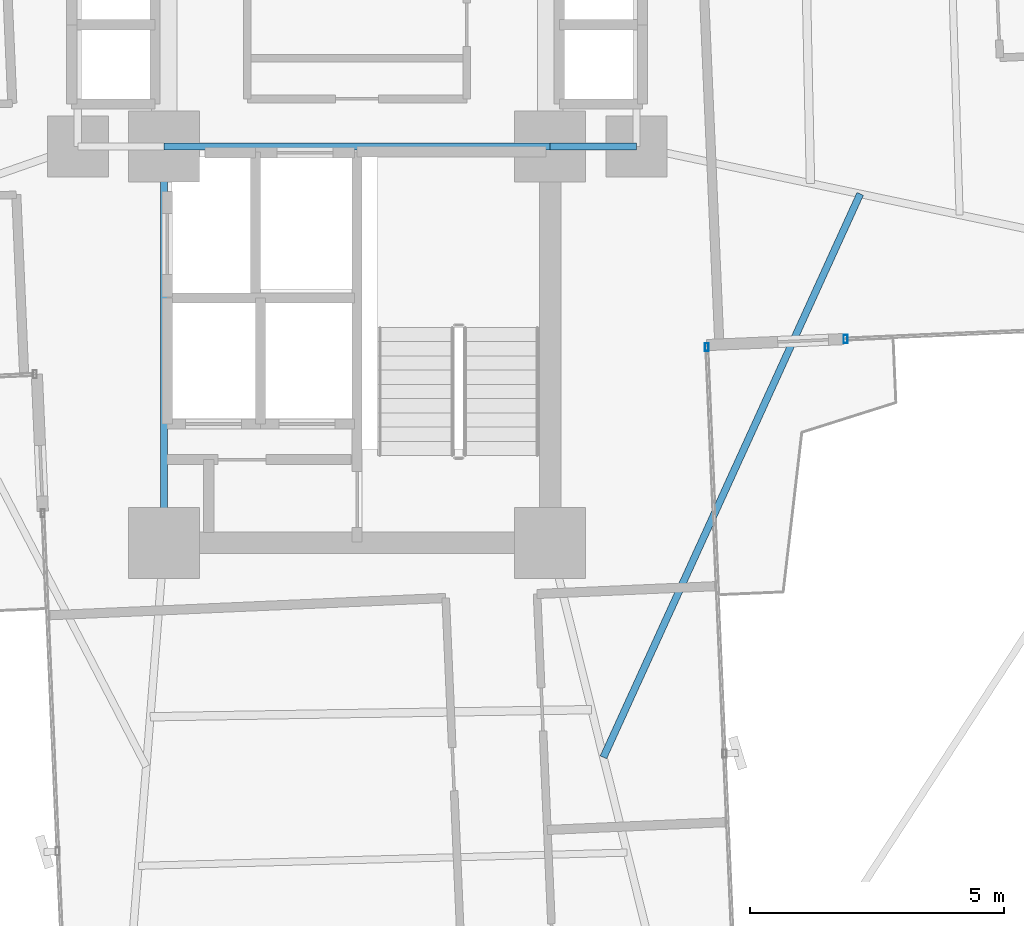
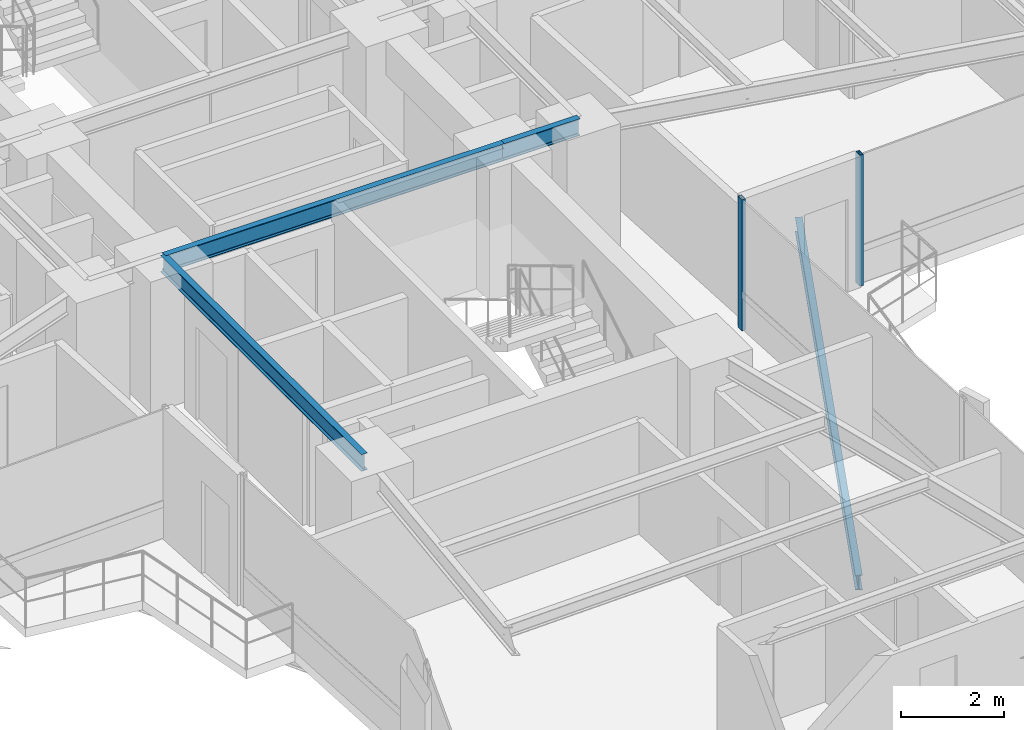
# One storey, part 11 of 26: 4 beams, 2 members, 2 elements without a shape of their own.
"""IFC4 building model written with IfcOpenShell, lengths in metres."""

from ifc_helpers import new_model, si_unit, direction, frame, origin, origin_2d, place, context, subcontext, project, spatial, hollow_rectangle, i_section, extrude, source, transform, mapped, material, material_profile, profile_set, type_object, element, aggregate, save


model = new_model("IFC4")

# Units and contexts
model_context = context("Model", 3, precision=1e-05, world=origin(), true_north=direction((0.0, 1.0)))
body_context = subcontext(model_context, "Body", "Model", "MODEL_VIEW")
ifc_project = project(units=[si_unit("LENGTHUNIT", "METRE"), si_unit("AREAUNIT", "SQUARE_METRE"), si_unit("VOLUMEUNIT", "CUBIC_METRE"), si_unit("PLANEANGLEUNIT", "RADIAN"), si_unit("MASSUNIT", "GRAM", prefix="KILO")], contexts=[model_context])

# Site, building, storey
site_placement = place(None, origin())
site = spatial("IfcSite", under=ifc_project, at=site_placement, CompositionType="ELEMENT")
building_placement = place(site_placement, origin())
building = spatial("IfcBuilding", under=site, at=building_placement, Name="Sahyath Konkavel Grand Hotel", CompositionType="ELEMENT")
storey_placement = place(building_placement, frame((0.0, 0.0, 128.199951171875)))
storey = spatial("IfcBuildingStorey", under=building, at=storey_placement, Name="L35", CompositionType="ELEMENT", Elevation=128.199951171875)

# Beams
ifc_material_1 = material(Name="Steel E350", Category="steel")
ifc_material_profile_1 = material_profile(ifc_material_1, i_section(OverallWidth=0.139892578125, OverallDepth=0.39990234375, WebThickness=0.0087890625, FlangeThickness=0.01611328125, FilletRadius=0.013916015625, at=origin_2d()), Name="ISMB 400")
ifc_profile_set_1 = profile_set([ifc_material_profile_1], Name="Steel E350")
beam_type_1 = type_object("IfcBeamType", Name="BM-ISMB400", PredefinedType="BEAM", material=ifc_profile_set_1)
shared_shape_1 = source(origin(), body_context, "Body", "SweptSolid", [
    extrude(i_section(OverallWidth=0.139892578125, OverallDepth=0.39990234375, WebThickness=0.0087890625, FlangeThickness=0.01611328125, FilletRadius=0.013916015625, at=origin_2d()), origin(), (0.0, 0.0, 1.0), 7.60009765625),
])
beam_1_placement = place(storey_placement, frame((-3.800048828125, -2.39990234375, 2.91015625), z_axis=(1.0, 0.0, 0.0), x_axis=(0.0, 1.0, 0.0)))
element("IfcBeam", 1, at=beam_1_placement, inside=storey, type_object=beam_type_1, Name="str:bm:L35:SC-N", PredefinedType="BEAM", context=body_context, shape_type="MappedRepresentation", body=[
    mapped(shared_shape_1, transform((0.0, 0.0, 0.0), scale=1.0)),
])
shared_shape_2 = source(origin(), body_context, "Body", "SweptSolid", [
    extrude(i_section(OverallWidth=0.139892578125, OverallDepth=0.39990234375, WebThickness=0.0087890625, FlangeThickness=0.01611328125, FilletRadius=0.013916015625, at=origin_2d()), origin(), (0.0, 0.0, 1.0), 7.800048828125),
])
beam_2_placement = place(storey_placement, frame((-3.800048828125, -10.199951171875, 2.91015625), z_axis=(0.0, 1.0, 0.0), x_axis=(-1.0, 0.0, 0.0)))
element("IfcBeam", 2, at=beam_2_placement, inside=storey, type_object=beam_type_1, Name="str:bm:L35:SC-W", PredefinedType="BEAM", context=body_context, shape_type="MappedRepresentation", body=[
    mapped(shared_shape_2, transform((0.0, 0.0, 0.0), scale=1.0)),
])
shared_shape_3 = source(origin(), body_context, "Body", "SweptSolid", [
    extrude(i_section(OverallWidth=0.139892578125, OverallDepth=0.39990234375, WebThickness=0.0087890625, FlangeThickness=0.01611328125, FilletRadius=0.013916015625, at=origin_2d()), origin(), (0.0, 0.0, 1.0), 1.699951171875),
])
beam_3_placement = place(storey_placement, frame((3.800048828125, -2.39990234375, 2.91015625), z_axis=(1.0, 0.0, 0.0), x_axis=(0.0, 1.0, 0.0)))
element("IfcBeam", 3, at=beam_3_placement, inside=storey, type_object=beam_type_1, Name="str:bm:L35:HB-SE", PredefinedType="BEAM", context=body_context, shape_type="MappedRepresentation", body=[
    mapped(shared_shape_3, transform((0.0, 0.0, 0.0), scale=1.0)),
])

# Curtain wall, member
ifc_material_2 = material(Name="Anodised Bronze Aluminium & Low-E Glazing", Category="aluminium")
curtain_wall_type = type_object("IfcCurtainWallType", Name="CW-ZONE2", PredefinedType="NOTDEFINED", material=ifc_material_2)
curtain_wall_1_placement = place(storey_placement, origin())
curtain_wall_1 = element("IfcCurtainWall", 4, at=curtain_wall_1_placement, inside=storey, type_object=curtain_wall_type, Name="L35 Unitised Curtain Wall F0", PredefinedType="NOTDEFINED")
ifc_material_3 = material(Name="Anodised Bronze Aluminium", Category="aluminium")
ifc_material_profile_2 = material_profile(ifc_material_3, hollow_rectangle(XDim=0.080078125, YDim=0.159912109375, WallThickness=0.006103515625, at=origin_2d()), Name="RHS 160x80x6")
ifc_profile_set_2 = profile_set([ifc_material_profile_2], Name="Anodised Bronze Aluminium")
member_type = type_object("IfcMemberType", Name="CW-MUL-160", PredefinedType="MULLION", material=ifc_profile_set_2)
shared_shape_4 = source(origin(), body_context, "Body", "SweptSolid", [
    extrude(hollow_rectangle(XDim=0.080078125, YDim=0.159912109375, WallThickness=0.006103515625, at=origin_2d()), origin(), (0.0, 0.0, 1.0), 3.110107421875),
])
member_1_placement = place(storey_placement, frame((9.618896484375, -6.186279296875, 0.0), z_axis=(0.0, 0.0, 1.0), x_axis=(1.0, 0.0, 0.0)))
member_1 = element("IfcMember", 5, at=member_1_placement, type_object=member_type, Name="L35 Curtain Wall Mullion F0-0", PredefinedType="MULLION", context=body_context, shape_type="MappedRepresentation", body=[
    mapped(shared_shape_4, transform((0.0, 0.0, 0.0), scale=1.0)),
])
aggregate(curtain_wall_1, [member_1])

curtain_wall_2_placement = place(storey_placement, origin())
curtain_wall_2 = element("IfcCurtainWall", 6, at=curtain_wall_2_placement, inside=storey, type_object=curtain_wall_type, Name="L35 Unitised Curtain Wall F31", PredefinedType="NOTDEFINED")
member_2_placement = place(storey_placement, frame((6.88330078125, -6.345703125, 0.0), z_axis=(0.0, 0.0, 1.0), x_axis=(1.0, 0.0, 0.0)))
member_2 = element("IfcMember", 7, at=member_2_placement, type_object=member_type, Name="L35 Curtain Wall Mullion F31-2", PredefinedType="MULLION", context=body_context, shape_type="MappedRepresentation", body=[
    mapped(shared_shape_4, transform((0.0, 0.0, 0.0), scale=1.0)),
])
aggregate(curtain_wall_2, [member_2])

# Beam
ifc_material_profile_3 = material_profile(ifc_material_1, i_section(OverallWidth=0.139892578125, OverallDepth=0.35009765625, WebThickness=0.008056640625, FlangeThickness=0.01416015625, FilletRadius=0.013916015625, at=origin_2d()), Name="ISMB 350")
ifc_profile_set_3 = profile_set([ifc_material_profile_3], Name="Steel E350")
beam_type_2 = type_object("IfcBeamType", Name="BM-BALC-CANT", PredefinedType="BEAM", material=ifc_profile_set_3)
shared_shape_5 = source(origin(), body_context, "Body", "SweptSolid", [
    extrude(i_section(OverallWidth=0.139892578125, OverallDepth=0.35009765625, WebThickness=0.008056640625, FlangeThickness=0.01416015625, FilletRadius=0.013916015625, at=origin_2d()), origin(), (0.0, 0.0, 1.0), 12.190673828125),
])
beam_4_placement = place(storey_placement, frame((4.8486328125, -14.422119140625, -0.4150390625), z_axis=(0.414712580086, 0.909952458054, 0.0), x_axis=(-0.909952458054, 0.414712580086, 0.0)))
element("IfcBeam", 8, at=beam_4_placement, inside=storey, type_object=beam_type_2, Name="L35 Balcony Cantilever Support Beam SE", PredefinedType="BEAM", context=body_context, shape_type="MappedRepresentation", body=[
    mapped(shared_shape_5, transform((0.0, 0.0, 0.0), scale=1.0)),
])

save(model, "model.ifc")
